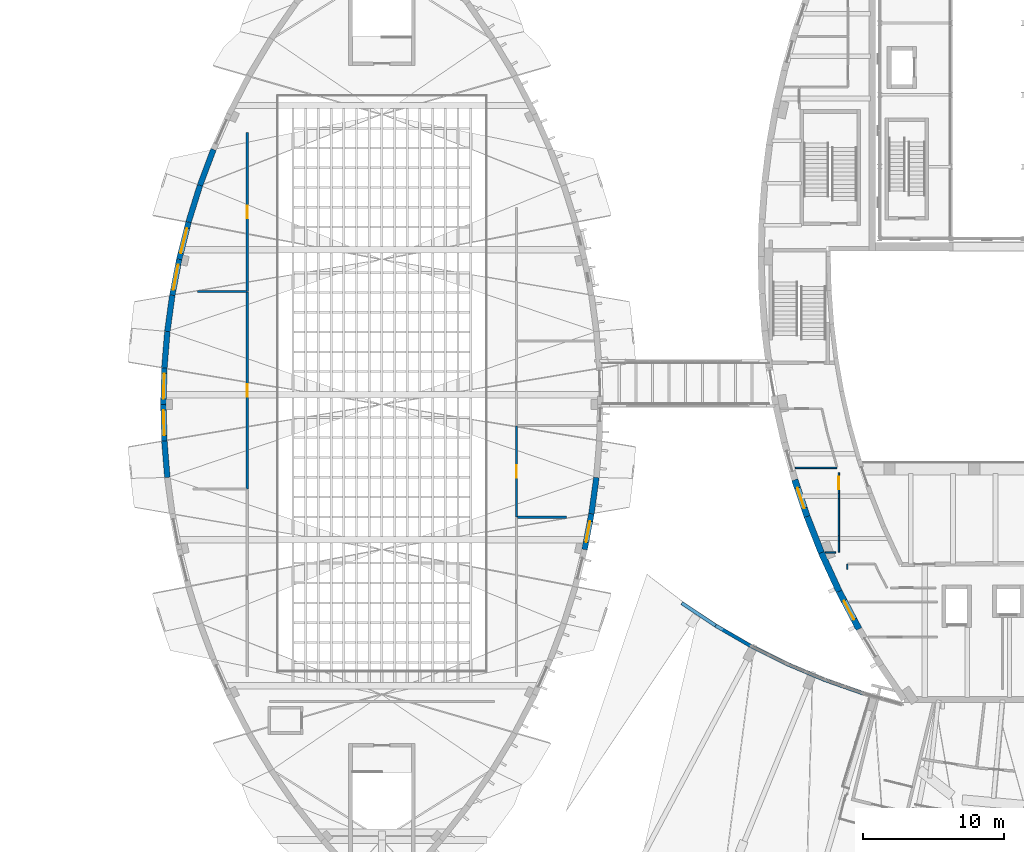
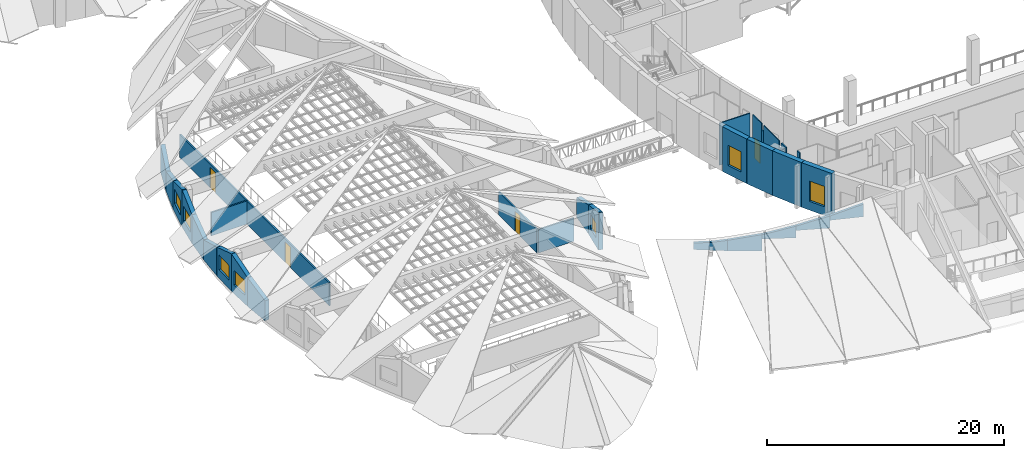
# One storey, part 30 of 56: 33 walls, 7 windows, 4 doors, 11 openings.
"""IFC4 building model written with IfcOpenShell, lengths in metres."""

from ifc_helpers import new_model, si_unit, direction, frame, frame_2d, origin, place, context, subcontext, project, spatial, polyline, rectangle, outline, extrude, material, layer, layer_set, type_object, element, fill, save


model = new_model("IFC4")

# Units and contexts
model_context = context("Model", 3, precision=1e-05, world=origin(), true_north=direction((0.0, 1.0)))
body_context = subcontext(model_context, "Body", "Model", "MODEL_VIEW")
ifc_project = project(units=[si_unit("LENGTHUNIT", "METRE"), si_unit("AREAUNIT", "SQUARE_METRE"), si_unit("VOLUMEUNIT", "CUBIC_METRE"), si_unit("PLANEANGLEUNIT", "RADIAN"), si_unit("MASSUNIT", "GRAM", prefix="KILO")], contexts=[model_context])

# Site, building, storey
site_placement = place(None, origin())
site = spatial("IfcSite", under=ifc_project, at=site_placement, CompositionType="ELEMENT")
building_placement = place(site_placement, origin())
building = spatial("IfcBuilding", under=site, at=building_placement, Name="Tide Square Theatres", CompositionType="ELEMENT")
storey_placement = place(building_placement, frame((0.0, 0.0, 10.199951171875)))
storey = spatial("IfcBuildingStorey", under=building, at=storey_placement, Name="L02", CompositionType="ELEMENT", Elevation=10.199951171875)

# Walls
ifc_material_1 = material(Name="Gypsum board on steel studs", Category="steel")
ifc_layer_1 = layer(ifc_material_1, 0.10009765625)
ifc_layer_set_1 = layer_set([ifc_layer_1], Name="Gypsum board on steel studs")
wall_type_1 = type_object("IfcWallType", Name="Partition 100 thick", PredefinedType="PARTITIONING", material=ifc_layer_set_1)
wall_1_placement = place(storey_placement, frame((65.31396484375, 40.0, 0.0), z_axis=(0.0, 0.0, 1.0), x_axis=(1.0, 0.0, 0.0)))
element("IfcWall", 1, at=wall_1_placement, inside=storey, type_object=wall_type_1, Name="Partition", PredefinedType="PARTITIONING", context=body_context, shape_type="SweptSolid", body=[
    extrude(rectangle(XDim=2.94873046875, YDim=0.10009765625, at=frame_2d((1.474365234375, 0.0))), origin(), (0.0, 0.0, 1.0), 4.35009765625),
])
wall_2_placement = place(storey_placement, frame((68.1787109375, 34.0, 0.0), z_axis=(0.0, 0.0, 1.0), x_axis=(-1.0, 0.0, 0.0)))
element("IfcWall", 2, at=wall_2_placement, inside=storey, type_object=wall_type_1, Name="Partition", PredefinedType="PARTITIONING", context=body_context, shape_type="SweptSolid", body=[
    extrude(rectangle(XDim=0.7314453125, YDim=0.10009765625, at=frame_2d((0.36572265625, 0.0))), origin(), (0.0, 0.0, 1.0), 4.35009765625),
])

# Wall, opening, door
wall_3_placement = place(storey_placement, frame((68.39990234375, 39.667724609375, 0.0), z_axis=(0.0, 0.0, 1.0), x_axis=(0.0, -1.0, 0.0)))
wall_3 = element("IfcWall", 3, at=wall_3_placement, inside=storey, type_object=wall_type_1, Name="Partition", PredefinedType="PARTITIONING", context=body_context, shape_type="SweptSolid", body=[
    extrude(rectangle(XDim=1.48779296875, YDim=0.10009765625, at=frame_2d((0.743896484375, 0.0))), origin(), (0.0, 0.0, 1.0), 4.35009765625),
])
opening_1_placement = place(wall_3_placement, frame((0.2939453125, 0.0, 0.0)))
opening_1 = element("IfcOpeningElement", 4, at=opening_1_placement, cuts=wall_3, Name="Opening M02-10", PredefinedType="OPENING", context=body_context, shape_type="SweptSolid", body=[
    extrude(rectangle(XDim=0.89990234375, YDim=2.10009765625, at=frame_2d((0.449951171875, 1.050048828125))), frame((0.0, 0.06005859375, 0.0), z_axis=(0.0, -1.0, 0.0), x_axis=(1.0, 0.0, 0.0)), (0.0, 0.0, 1.0), 0.1201171875),
])
ifc_material_2 = material(Name="Hardwood timber", Category="wood")
door_type = type_object("IfcDoorType", Name="Door 900 x 2100 single leaf", OperationType="NOTDEFINED", PredefinedType="DOOR", material=ifc_material_2)
door_1_placement = place(opening_1_placement, frame((0.89990234375, 0.0, 0.0), z_axis=(0.0, 0.0, 1.0), x_axis=(-1.0, 0.0, 0.0)))
door_1 = element("IfcDoor", 5, at=door_1_placement, inside=storey, type_object=door_type, Name="Chorus Dressing Room 01 door", OperationType="SINGLE_SWING_RIGHT", OverallHeight=2.10009765625, OverallWidth=0.89990234375, PredefinedType="DOOR", context=body_context, shape_type="SweptSolid", body=[
    extrude(rectangle(XDim=0.89990234375, YDim=2.10009765625, at=frame_2d((0.449951171875, 1.050048828125))), frame((0.0, 0.02490234375, 0.0), z_axis=(0.0, -1.0, 0.0), x_axis=(1.0, 0.0, 0.0)), (0.0, 0.0, 1.0), 0.050048828125),
])
fill(opening_1, door_1)

# Walls
wall_4_placement = place(storey_placement, frame((68.39990234375, 38.179931640625, 0.0), z_axis=(0.0, 0.0, 1.0), x_axis=(0.0, -1.0, 0.0)))
element("IfcWall", 6, at=wall_4_placement, inside=storey, type_object=wall_type_1, Name="Partition", PredefinedType="PARTITIONING", context=body_context, shape_type="SweptSolid", body=[
    extrude(rectangle(XDim=0.35986328125, YDim=0.10009765625, at=frame_2d((0.179931640625, 0.0))), origin(), (0.0, 0.0, 1.0), 3.719970703125),
])
wall_5_placement = place(storey_placement, frame((68.39990234375, 37.820068359375, 0.0), z_axis=(0.0, 0.0, 1.0), x_axis=(0.0, -1.0, 0.0)))
element("IfcWall", 7, at=wall_5_placement, inside=storey, type_object=wall_type_1, Name="Partition", PredefinedType="PARTITIONING", context=body_context, shape_type="SweptSolid", body=[
    extrude(rectangle(XDim=2.64013671875, YDim=0.10009765625, at=frame_2d((1.320068359375, 0.0))), origin(), (0.0, 0.0, 1.0), 4.35009765625),
])
wall_6_placement = place(storey_placement, frame((68.39990234375, 35.179931640625, 0.0), z_axis=(0.0, 0.0, 1.0), x_axis=(0.0, -1.0, 0.0)))
element("IfcWall", 8, at=wall_6_placement, inside=storey, type_object=wall_type_1, Name="Partition", PredefinedType="PARTITIONING", context=body_context, shape_type="SweptSolid", body=[
    extrude(rectangle(XDim=0.35986328125, YDim=0.10009765625, at=frame_2d((0.179931640625, 0.0))), origin(), (0.0, 0.0, 1.0), 3.719970703125),
])
wall_7_placement = place(storey_placement, frame((68.39990234375, 34.820068359375, 0.0), z_axis=(0.0, 0.0, 1.0), x_axis=(0.0, -1.0, 0.0)))
element("IfcWall", 9, at=wall_7_placement, inside=storey, type_object=wall_type_1, Name="Partition", PredefinedType="PARTITIONING", context=body_context, shape_type="SweptSolid", body=[
    extrude(rectangle(XDim=0.796875, YDim=0.10009765625, at=frame_2d((0.3984375, 0.0))), origin(), (0.0, 0.0, 1.0), 4.35009765625),
])
wall_8_placement = place(storey_placement, frame((69.0, 32.80126953125, 0.0), z_axis=(0.0, 0.0, 1.0), x_axis=(0.0, 1.0, 0.0)))
element("IfcWall", 10, at=wall_8_placement, inside=storey, type_object=wall_type_1, Name="Partition", PredefinedType="PARTITIONING", context=body_context, shape_type="SweptSolid", body=[
    extrude(rectangle(XDim=0.37548828125, YDim=0.10009765625, at=frame_2d((0.187744140625, 0.0))), origin(), (0.0, 0.0, 1.0), 4.35009765625),
])

# Wall, opening, door
ifc_material_3 = material(Name="Gypsum board on steel studs", Category="steel")
ifc_layer_2 = layer(ifc_material_3, 0.14990234375)
ifc_layer_set_2 = layer_set([ifc_layer_2], Name="Gypsum board on steel studs")
wall_type_2 = type_object("IfcWallType", Name="Partition 150 thick", PredefinedType="PARTITIONING", material=ifc_layer_set_2)
wall_9_placement = place(storey_placement, frame((26.449951171875, 38.52001953125, 0.0), z_axis=(0.0, 0.0, 1.0), x_axis=(0.0, 1.0, 0.0)))
wall_9 = element("IfcWall", 11, at=wall_9_placement, inside=storey, type_object=wall_type_2, Name="Studio Theatre partition", PredefinedType="PARTITIONING", context=body_context, shape_type="SweptSolid", body=[
    extrude(rectangle(XDim=13.9599609375, YDim=0.14990234375, at=frame_2d((6.97998046875, 0.0))), origin(), (0.0, 0.0, 1.0), 2.400146484375),
])
opening_2_placement = place(wall_9_placement, frame((6.530029296875, 0.0, 0.0)))
opening_2 = element("IfcOpeningElement", 12, at=opening_2_placement, cuts=wall_9, Name="Opening S02-03", PredefinedType="OPENING", context=body_context, shape_type="SweptSolid", body=[
    extrude(rectangle(XDim=0.89990234375, YDim=2.10009765625, at=frame_2d((0.449951171875, 1.050048828125))), frame((0.0, 0.0849609375, 0.0), z_axis=(0.0, -1.0, 0.0), x_axis=(1.0, 0.0, 0.0)), (0.0, 0.0, 1.0), 0.169921875),
])
door_2_placement = place(opening_2_placement, origin())
door_2 = element("IfcDoor", 13, at=door_2_placement, inside=storey, type_object=door_type, Name="Learning Studio 04 door", OperationType="SINGLE_SWING_RIGHT", OverallHeight=2.10009765625, OverallWidth=0.89990234375, PredefinedType="DOOR", context=body_context, shape_type="SweptSolid", body=[
    extrude(rectangle(XDim=0.89990234375, YDim=2.10009765625, at=frame_2d((0.449951171875, 1.050048828125))), frame((0.0, 0.02490234375, 0.0), z_axis=(0.0, -1.0, 0.0), x_axis=(1.0, 0.0, 0.0)), (0.0, 0.0, 1.0), 0.050048828125),
])
fill(opening_2, door_2)

wall_10_placement = place(storey_placement, frame((26.449951171875, 52.52001953125, 0.0), z_axis=(0.0, 0.0, 1.0), x_axis=(0.0, 1.0, 0.0)))
wall_10 = element("IfcWall", 14, at=wall_10_placement, inside=storey, type_object=wall_type_2, Name="Studio Theatre partition", PredefinedType="PARTITIONING", context=body_context, shape_type="SweptSolid", body=[
    extrude(rectangle(XDim=11.265380859375, YDim=0.14990234375, at=frame_2d((5.6328125, 0.0))), origin(), (0.0, 0.0, 1.0), 2.400146484375),
])
opening_3_placement = place(wall_10_placement, frame((5.1826171875, 0.0, 0.0)))
opening_3 = element("IfcOpeningElement", 15, at=opening_3_placement, cuts=wall_10, Name="Opening S02-04", PredefinedType="OPENING", context=body_context, shape_type="SweptSolid", body=[
    extrude(rectangle(XDim=0.89990234375, YDim=2.10009765625, at=frame_2d((0.449951171875, 1.050048828125))), frame((0.0, 0.0849609375, 0.0), z_axis=(0.0, -1.0, 0.0), x_axis=(1.0, 0.0, 0.0)), (0.0, 0.0, 1.0), 0.169921875),
])
door_3_placement = place(opening_3_placement, origin())
door_3 = element("IfcDoor", 16, at=door_3_placement, inside=storey, type_object=door_type, Name="Rehearsal Room 03 door", OperationType="SINGLE_SWING_RIGHT", OverallHeight=2.10009765625, OverallWidth=0.89990234375, PredefinedType="DOOR", context=body_context, shape_type="SweptSolid", body=[
    extrude(rectangle(XDim=0.89990234375, YDim=2.10009765625, at=frame_2d((0.449951171875, 1.050048828125))), frame((0.0, 0.02490234375, 0.0), z_axis=(0.0, -1.0, 0.0), x_axis=(1.0, 0.0, 0.0)), (0.0, 0.0, 1.0), 0.050048828125),
])
fill(opening_3, door_3)

wall_11_placement = place(storey_placement, frame((45.550048828125, 42.97998046875, 0.0), z_axis=(0.0, 0.0, 1.0), x_axis=(0.0, -1.0, 0.0)))
wall_11 = element("IfcWall", 17, at=wall_11_placement, inside=storey, type_object=wall_type_2, Name="Studio Theatre partition", PredefinedType="PARTITIONING", context=body_context, shape_type="SweptSolid", body=[
    extrude(rectangle(XDim=6.4599609375, YDim=0.14990234375, at=frame_2d((3.22998046875, 0.0))), origin(), (0.0, 0.0, 1.0), 2.400146484375),
])
opening_4_placement = place(wall_11_placement, frame((2.780029296875, 0.0, 0.0)))
opening_4 = element("IfcOpeningElement", 18, at=opening_4_placement, cuts=wall_11, Name="Opening S02-06", PredefinedType="OPENING", context=body_context, shape_type="SweptSolid", body=[
    extrude(rectangle(XDim=0.89990234375, YDim=2.10009765625, at=frame_2d((0.449951171875, 1.050048828125))), frame((0.0, 0.0849609375, 0.0), z_axis=(0.0, -1.0, 0.0), x_axis=(1.0, 0.0, 0.0)), (0.0, 0.0, 1.0), 0.169921875),
])
door_4_placement = place(opening_4_placement, origin())
door_4 = element("IfcDoor", 19, at=door_4_placement, inside=storey, type_object=door_type, Name="Production Office 02 door", OperationType="SINGLE_SWING_RIGHT", OverallHeight=2.10009765625, OverallWidth=0.89990234375, PredefinedType="DOOR", context=body_context, shape_type="SweptSolid", body=[
    extrude(rectangle(XDim=0.89990234375, YDim=2.10009765625, at=frame_2d((0.449951171875, 1.050048828125))), frame((0.0, 0.02490234375, 0.0), z_axis=(0.0, -1.0, 0.0), x_axis=(1.0, 0.0, 0.0)), (0.0, 0.0, 1.0), 0.050048828125),
])
fill(opening_4, door_4)

# Walls
for number, where, z_axis, x_axis, name in (
    (20, (22.91845703125, 52.5, 0.0), (0.0, 0.0, 1.0), (1.0, 0.0, 0.0), "Studio Theatre partition"),
    (21, (45.610107421875, 36.5, 0.0), (0.0, 0.0, 1.0), (1.0, 0.0, 0.0), "Studio Theatre partition"),
):
    element("IfcWall", number, at=place(storey_placement, frame(where, z_axis=z_axis, x_axis=x_axis)), inside=storey, type_object=wall_type_2, Name=name, PredefinedType="PARTITIONING", context=body_context, shape_type="SweptSolid", body=[
        extrude(rectangle(XDim=3.471435546875, YDim=0.14990234375, at=frame_2d((1.73583984375, 0.0))), origin(), (0.0, 0.0, 1.0), 2.400146484375),
    ])

# Wall, opening, window
ifc_material_4 = material(Name="Concrete C40", Category="concrete")
ifc_layer_3 = layer(ifc_material_4, 0.39990234375)
ifc_layer_set_3 = layer_set([ifc_layer_3], Name="Concrete C40")
wall_type_3 = type_object("IfcWallType", Name="RC curved wall 400 thick", PredefinedType="SOLIDWALL", material=ifc_layer_set_3)
wall_12_placement = place(storey_placement, frame((50.373046875, 34.21533203125, 0.0), z_axis=(0.0, 0.0, 1.0), x_axis=(0.188763210152, 0.982022632373, 0.0)))
wall_12 = element("IfcWall", 22, at=wall_12_placement, inside=storey, type_object=wall_type_3, Name="Studio Theatre perimeter wall", PredefinedType="SOLIDWALL", context=body_context, shape_type="SweptSolid", body=[
    extrude(outline(polyline([(0.0, 0.0), (2.58154296875, 0.0), (2.581298828125, 2.98388671875), (2.51171875, 3.008056640625), (0.07666015625, 3.853515625), (0.0, 3.8427734375), (0.0, 0.0)])), frame((0.0, 0.199951171875, 0.0), z_axis=(0.0, -1.0, 0.0), x_axis=(1.0, 0.0, 0.0)), (0.0, 0.0, 1.0), 0.39990234375),
])
opening_5_placement = place(wall_12_placement, frame((0.540771484375, 0.0, 0.89990234375)))
opening_5 = element("IfcOpeningElement", 23, at=opening_5_placement, cuts=wall_12, Name="Opening WN-08", PredefinedType="OPENING", context=body_context, shape_type="SweptSolid", body=[
    extrude(rectangle(XDim=1.5, YDim=1.5, at=frame_2d((0.75, 0.75))), frame((0.0, 0.2099609375, 0.0), z_axis=(0.0, -1.0, 0.0), x_axis=(1.0, 0.0, 0.0)), (0.0, 0.0, 1.0), 0.419921875),
])
ifc_material_5 = material(Name="Aluminium with laminated glass", Category="aluminium")
window_type_1 = type_object("IfcWindowType", Name="Window 1500 x 1500", PartitioningType="SINGLE_PANEL", PredefinedType="WINDOW", material=ifc_material_5)
window_1_placement = place(opening_5_placement, origin())
window_1 = element("IfcWindow", 24, at=window_1_placement, inside=storey, type_object=window_type_1, Name="Studio Theatre Costume Room window", OverallHeight=1.5, OverallWidth=1.5, PartitioningType="SINGLE_PANEL", PredefinedType="WINDOW", context=body_context, shape_type="SweptSolid", body=[
    extrude(rectangle(XDim=1.5, YDim=1.5, at=frame_2d((0.75, 0.75))), frame((0.0, 0.030029296875, 0.0), z_axis=(0.0, -1.0, 0.0), x_axis=(1.0, 0.0, 0.0)), (0.0, 0.0, 1.0), 0.06005859375),
])
fill(opening_5, window_1)

# Walls
wall_13_placement = place(storey_placement, frame((50.862060546875, 36.760986328125, 0.0), z_axis=(0.0, 0.0, 1.0), x_axis=(0.13522291824, 0.990815200924, 0.0)))
element("IfcWall", 25, at=wall_13_placement, inside=storey, type_object=wall_type_3, Name="Studio Theatre perimeter wall", PredefinedType="SOLIDWALL", context=body_context, shape_type="SweptSolid", body=[
    extrude(outline(polyline([(0.0, 0.0), (2.581787109375, 0.0), (2.581787109375, 2.0810546875), (2.488037109375, 2.113525390625), (0.0576171875, 2.9580078125), (0.0, 2.9765625), (0.0, 0.0)])), frame((0.0, 0.199951171875, 0.0), z_axis=(0.0, -1.0, 0.0), x_axis=(1.0, 0.0, 0.0)), (0.0, 0.0, 1.0), 0.39990234375),
])
wall_14_placement = place(storey_placement, frame((24.0595703125, 62.58251953125, 0.0), z_axis=(0.0, 0.0, 1.0), x_axis=(-0.351862601417, -0.936051659752, 0.0)))
element("IfcWall", 26, at=wall_14_placement, inside=storey, type_object=wall_type_3, Name="Studio Theatre perimeter wall", PredefinedType="SOLIDWALL", context=body_context, shape_type="SweptSolid", body=[
    extrude(outline(polyline([(0.0, 0.0), (2.71435546875, 0.0), (2.71435546875, 2.01953125), (2.540283203125, 2.076904296875), (0.12109375, 2.875732421875), (0.0, 2.910400390625), (0.0, 0.0)])), frame((0.0, 0.199951171875, 0.0), z_axis=(0.0, -1.0, 0.0), x_axis=(1.0, 0.0, 0.0)), (0.0, 0.0, 1.0), 0.39990234375),
])
wall_15_placement = place(storey_placement, frame((23.100830078125, 60.031005859375, 0.0), z_axis=(0.0, 0.0, 1.0), x_axis=(-0.29795748067, -0.954579142718, 0.0)))
element("IfcWall", 27, at=wall_15_placement, inside=storey, type_object=wall_type_3, Name="Studio Theatre perimeter wall", PredefinedType="SOLIDWALL", context=body_context, shape_type="SweptSolid", body=[
    extrude(outline(polyline([(0.0, 0.0), (2.714599609375, 0.0), (2.71435546875, 2.916259765625), (2.697509765625, 2.91064453125), (0.0, 2.02001953125), (0.0, 0.0)])), frame((0.0, 0.199951171875, 0.0), z_axis=(0.0, -1.0, 0.0), x_axis=(1.0, 0.0, 0.0)), (0.0, 0.0, 1.0), 0.39990234375),
])

# Wall, opening, window
wall_16_placement = place(storey_placement, frame((22.2890625, 57.4287109375, 0.0), z_axis=(0.0, 0.0, 1.0), x_axis=(-0.2430011368, -0.970026003525, 0.0)))
wall_16 = element("IfcWall", 28, at=wall_16_placement, inside=storey, type_object=wall_type_3, Name="Studio Theatre perimeter wall", PredefinedType="SOLIDWALL", context=body_context, shape_type="SweptSolid", body=[
    extrude(outline(polyline([(0.0, 0.0), (2.714599609375, 0.0), (2.714599609375, 3.822998046875), (2.686767578125, 3.813720703125), (2.63671875, 3.797119140625), (2.58642578125, 3.780517578125), (0.0, 2.923828125), (0.0, 0.0)])), frame((0.0, 0.199951171875, 0.0), z_axis=(0.0, -1.0, 0.0), x_axis=(1.0, 0.0, 0.0)), (0.0, 0.0, 1.0), 0.39990234375),
])
opening_6_placement = place(wall_16_placement, frame((0.45751953125, 0.0, 0.89990234375)))
opening_6 = element("IfcOpeningElement", 29, at=opening_6_placement, cuts=wall_16, Name="Opening WN-15", PredefinedType="OPENING", context=body_context, shape_type="SweptSolid", body=[
    extrude(rectangle(XDim=1.800048828125, YDim=1.5, at=frame_2d((0.89990234375, 0.75))), frame((0.0, 0.2099609375, 0.0), z_axis=(0.0, -1.0, 0.0), x_axis=(1.0, 0.0, 0.0)), (0.0, 0.0, 1.0), 0.419921875),
])
ifc_material_6 = material(Name="Aluminium with laminated glass", Category="aluminium")
window_type_2 = type_object("IfcWindowType", Name="Window 1800 x 1500", PartitioningType="DOUBLE_PANEL_VERTICAL", PredefinedType="WINDOW", material=ifc_material_6)
window_2_placement = place(opening_6_placement, origin())
window_2 = element("IfcWindow", 30, at=window_2_placement, inside=storey, type_object=window_type_2, Name="Studio Theatre Rehearsal Room 03 window", OverallHeight=1.5, OverallWidth=1.800048828125, PartitioningType="SINGLE_PANEL", PredefinedType="WINDOW", context=body_context, shape_type="SweptSolid", body=[
    extrude(rectangle(XDim=1.800048828125, YDim=1.5, at=frame_2d((0.89990234375, 0.75))), frame((0.0, 0.030029296875, 0.0), z_axis=(0.0, -1.0, 0.0), x_axis=(1.0, 0.0, 0.0)), (0.0, 0.0, 1.0), 0.06005859375),
])
fill(opening_6, window_2)

wall_17_placement = place(storey_placement, frame((21.626953125, 54.78466796875, 0.0), z_axis=(0.0, 0.0, 1.0), x_axis=(-0.188763210152, -0.982022632373, 0.0)))
wall_17 = element("IfcWall", 31, at=wall_17_placement, inside=storey, type_object=wall_type_3, Name="Studio Theatre perimeter wall", PredefinedType="SOLIDWALL", context=body_context, shape_type="SweptSolid", body=[
    extrude(outline(polyline([(0.0, 0.0), (2.58154296875, 0.0), (2.581298828125, 2.9716796875), (2.51171875, 2.995849609375), (0.076904296875, 3.841064453125), (0.0, 3.829345703125), (0.0, 0.0)])), frame((0.0, 0.199951171875, 0.0), z_axis=(0.0, -1.0, 0.0), x_axis=(1.0, 0.0, 0.0)), (0.0, 0.0, 1.0), 0.39990234375),
])
opening_7_placement = place(wall_17_placement, frame((0.390625, 0.0, 0.89990234375)))
opening_7 = element("IfcOpeningElement", 32, at=opening_7_placement, cuts=wall_17, Name="Opening WN-15", PredefinedType="OPENING", context=body_context, shape_type="SweptSolid", body=[
    extrude(rectangle(XDim=1.800048828125, YDim=1.5, at=frame_2d((0.89990234375, 0.75))), frame((0.0, 0.2099609375, 0.0), z_axis=(0.0, -1.0, 0.0), x_axis=(1.0, 0.0, 0.0)), (0.0, 0.0, 1.0), 0.419921875),
])
window_3_placement = place(opening_7_placement, origin())
window_3 = element("IfcWindow", 33, at=window_3_placement, inside=storey, type_object=window_type_2, Name="Studio Theatre Rehearsal Room 03 window", OverallHeight=1.5, OverallWidth=1.800048828125, PartitioningType="SINGLE_PANEL", PredefinedType="WINDOW", context=body_context, shape_type="SweptSolid", body=[
    extrude(rectangle(XDim=1.800048828125, YDim=1.5, at=frame_2d((0.89990234375, 0.75))), frame((0.0, 0.030029296875, 0.0), z_axis=(0.0, -1.0, 0.0), x_axis=(1.0, 0.0, 0.0)), (0.0, 0.0, 1.0), 0.06005859375),
])
fill(opening_7, window_3)

# Walls
wall_18_placement = place(storey_placement, frame((21.137939453125, 52.239013671875, 0.0), z_axis=(0.0, 0.0, 1.0), x_axis=(-0.13522291824, -0.990815200924, 0.0)))
element("IfcWall", 34, at=wall_18_placement, inside=storey, type_object=wall_type_3, Name="Studio Theatre perimeter wall", PredefinedType="SOLIDWALL", context=body_context, shape_type="SweptSolid", body=[
    extrude(outline(polyline([(0.0, 0.0), (2.581787109375, 0.0), (2.581787109375, 2.06884765625), (2.488037109375, 2.101318359375), (0.0576171875, 2.946044921875), (0.0, 2.96435546875), (0.0, 0.0)])), frame((0.0, 0.199951171875, 0.0), z_axis=(0.0, -1.0, 0.0), x_axis=(1.0, 0.0, 0.0)), (0.0, 0.0, 1.0), 0.39990234375),
])
wall_19_placement = place(storey_placement, frame((20.787841796875, 49.670166015625, 0.0), z_axis=(0.0, 0.0, 1.0), x_axis=(-0.081323667998, -0.996687744995, 0.0)))
element("IfcWall", 35, at=wall_19_placement, inside=storey, type_object=wall_type_3, Name="Studio Theatre perimeter wall", PredefinedType="SOLIDWALL", context=body_context, shape_type="SweptSolid", body=[
    extrude(outline(polyline([(0.0, 0.0), (2.581787109375, 0.0), (2.581787109375, 2.96240234375), (2.570068359375, 2.958740234375), (0.044921875, 2.08056640625), (0.0, 2.065185546875), (0.0, 0.0)])), frame((0.0, 0.199951171875, 0.0), z_axis=(0.0, -1.0, 0.0), x_axis=(1.0, 0.0, 0.0)), (0.0, 0.0, 1.0), 0.39990234375),
])

# Wall, opening, window
wall_20_placement = place(storey_placement, frame((20.577392578125, 47.086181640625, 0.0), z_axis=(0.0, 0.0, 1.0), x_axis=(-0.027139748682, -0.99963164918, 0.0)))
wall_20 = element("IfcWall", 36, at=wall_20_placement, inside=storey, type_object=wall_type_3, Name="Studio Theatre perimeter wall", PredefinedType="SOLIDWALL", context=body_context, shape_type="SweptSolid", body=[
    extrude(outline(polyline([(0.0, 0.0), (2.581787109375, 0.0), (2.581787109375, 3.865966796875), (2.516845703125, 3.84326171875), (0.0, 2.9697265625), (0.0, 0.0)])), frame((0.0, 0.199951171875, 0.0), z_axis=(0.0, -1.0, 0.0), x_axis=(1.0, 0.0, 0.0)), (0.0, 0.0, 1.0), 0.39990234375),
])
opening_8_placement = place(wall_20_placement, frame((0.390869140625, 0.0, 0.89990234375)))
opening_8 = element("IfcOpeningElement", 37, at=opening_8_placement, cuts=wall_20, Name="Opening WN-15", PredefinedType="OPENING", context=body_context, shape_type="SweptSolid", body=[
    extrude(rectangle(XDim=1.800048828125, YDim=1.5, at=frame_2d((0.89990234375, 0.75))), frame((0.0, 0.2099609375, 0.0), z_axis=(0.0, -1.0, 0.0), x_axis=(1.0, 0.0, 0.0)), (0.0, 0.0, 1.0), 0.419921875),
])
window_4_placement = place(opening_8_placement, origin())
window_4 = element("IfcWindow", 38, at=window_4_placement, inside=storey, type_object=window_type_2, Name="Studio Theatre Learning Studio 04 window", OverallHeight=1.5, OverallWidth=1.800048828125, PartitioningType="SINGLE_PANEL", PredefinedType="WINDOW", context=body_context, shape_type="SweptSolid", body=[
    extrude(rectangle(XDim=1.800048828125, YDim=1.5, at=frame_2d((0.89990234375, 0.75))), frame((0.0, 0.030029296875, 0.0), z_axis=(0.0, -1.0, 0.0), x_axis=(1.0, 0.0, 0.0)), (0.0, 0.0, 1.0), 0.06005859375),
])
fill(opening_8, window_4)

wall_21_placement = place(storey_placement, frame((20.50732421875, 44.49462890625, 0.0), z_axis=(0.0, 0.0, 1.0), x_axis=(0.027139748682, -0.99963164918, 0.0)))
wall_21 = element("IfcWall", 39, at=wall_21_placement, inside=storey, type_object=wall_type_3, Name="Studio Theatre perimeter wall", PredefinedType="SOLIDWALL", context=body_context, shape_type="SweptSolid", body=[
    extrude(outline(polyline([(0.0, 0.0), (2.581787109375, 0.0), (2.581787109375, 2.9697265625), (2.55908203125, 2.9775390625), (0.053955078125, 3.84716796875), (0.0, 3.865966796875), (0.0, 0.0)])), frame((0.0, 0.199951171875, 0.0), z_axis=(0.0, -1.0, 0.0), x_axis=(1.0, 0.0, 0.0)), (0.0, 0.0, 1.0), 0.39990234375),
])
opening_9_placement = place(wall_21_placement, frame((0.390869140625, 0.0, 0.89990234375)))
opening_9 = element("IfcOpeningElement", 40, at=opening_9_placement, cuts=wall_21, Name="Opening WN-15", PredefinedType="OPENING", context=body_context, shape_type="SweptSolid", body=[
    extrude(rectangle(XDim=1.800048828125, YDim=1.5, at=frame_2d((0.89990234375, 0.75))), frame((0.0, 0.2099609375, 0.0), z_axis=(0.0, -1.0, 0.0), x_axis=(1.0, 0.0, 0.0)), (0.0, 0.0, 1.0), 0.419921875),
])
window_5_placement = place(opening_9_placement, origin())
window_5 = element("IfcWindow", 41, at=window_5_placement, inside=storey, type_object=window_type_2, Name="Studio Theatre Learning Studio 04 window", OverallHeight=1.5, OverallWidth=1.800048828125, PartitioningType="SINGLE_PANEL", PredefinedType="WINDOW", context=body_context, shape_type="SweptSolid", body=[
    extrude(rectangle(XDim=1.800048828125, YDim=1.5, at=frame_2d((0.89990234375, 0.75))), frame((0.0, 0.030029296875, 0.0), z_axis=(0.0, -1.0, 0.0), x_axis=(1.0, 0.0, 0.0)), (0.0, 0.0, 1.0), 0.06005859375),
])
fill(opening_9, window_5)

# Wall
wall_22_placement = place(storey_placement, frame((20.577880859375, 41.903076171875, 0.0), z_axis=(0.0, 0.0, 1.0), x_axis=(0.081323667998, -0.996687744995, 0.0)))
element("IfcWall", 42, at=wall_22_placement, inside=storey, type_object=wall_type_3, Name="Studio Theatre perimeter wall", PredefinedType="SOLIDWALL", context=body_context, shape_type="SweptSolid", body=[
    extrude(outline(polyline([(0.0, 0.0), (2.581787109375, 0.0), (2.581787109375, 2.075927734375), (2.536865234375, 2.08056640625), (0.0, 2.962158203125), (0.0, 0.0)])), frame((0.0, 0.199951171875, 0.0), z_axis=(0.0, -1.0, 0.0), x_axis=(1.0, 0.0, 0.0)), (0.0, 0.0, 1.0), 0.39990234375),
])

# Wall, opening, window
ifc_material_7 = material(Name="Concrete C40", Category="concrete")
ifc_layer_4 = layer(ifc_material_7, 0.449951171875)
ifc_layer_set_4 = layer_set([ifc_layer_4], Name="Concrete C40")
wall_type_4 = type_object("IfcWallType", Name="RC curved wall 450 thick", PredefinedType="SOLIDWALL", material=ifc_layer_set_4)
wall_23_placement = place(storey_placement, frame((65.275390625, 39.161865234375, 0.0), z_axis=(0.0, 0.0, 1.0), x_axis=(0.318887614688, -0.947792534893, 0.0)))
wall_23 = element("IfcWall", 43, at=wall_23_placement, inside=storey, type_object=wall_type_4, Name="Main Theatre perimeter wall", PredefinedType="SOLIDWALL", context=body_context, shape_type="SweptSolid", body=[
    extrude(rectangle(XDim=2.75244140625, YDim=0.449951171875, at=frame_2d((1.376220703125, 0.0))), origin(), (0.0, 0.0, 1.0), 4.60009765625),
])
opening_10_placement = place(wall_23_placement, frame((0.626220703125, 0.0, 0.89990234375)))
opening_10 = element("IfcOpeningElement", 44, at=opening_10_placement, cuts=wall_23, Name="Opening WN-01", PredefinedType="OPENING", context=body_context, shape_type="SweptSolid", body=[
    extrude(rectangle(XDim=1.5, YDim=2.10009765625, at=frame_2d((0.75, 1.050048828125))), frame((0.0, 0.23486328125, 0.0), z_axis=(0.0, -1.0, 0.0), x_axis=(1.0, 0.0, 0.0)), (0.0, 0.0, 1.0), 0.469970703125),
])
ifc_material_8 = material(Name="Aluminium with laminated glass", Category="aluminium")
window_type_3 = type_object("IfcWindowType", Name="Window 1500 x 2100", PartitioningType="SINGLE_PANEL", PredefinedType="WINDOW", material=ifc_material_8)
window_6_placement = place(opening_10_placement, origin())
window_6 = element("IfcWindow", 45, at=window_6_placement, inside=storey, type_object=window_type_3, Name="Main Theatre window", OverallHeight=2.10009765625, OverallWidth=1.5, PartitioningType="SINGLE_PANEL", PredefinedType="WINDOW", context=body_context, shape_type="SweptSolid", body=[
    extrude(rectangle(XDim=1.5, YDim=2.10009765625, at=frame_2d((0.75, 1.050048828125))), frame((0.0, 0.030029296875, 0.0), z_axis=(0.0, -1.0, 0.0), x_axis=(1.0, 0.0, 0.0)), (0.0, 0.0, 1.0), 0.06005859375),
])
fill(opening_10, window_6)

# Walls
wall_24_placement = place(storey_placement, frame((66.153076171875, 36.55322265625, 0.0), z_axis=(0.0, 0.0, 1.0), x_axis=(0.366920100653, -0.930252460215, 0.0)))
element("IfcWall", 46, at=wall_24_placement, inside=storey, type_object=wall_type_4, Name="Main Theatre perimeter wall", PredefinedType="SOLIDWALL", context=body_context, shape_type="SweptSolid", body=[
    extrude(rectangle(XDim=2.751953125, YDim=0.449951171875, at=frame_2d((1.3759765625, 0.0))), origin(), (0.0, 0.0, 1.0), 4.60009765625),
])
wall_25_placement = place(storey_placement, frame((67.162841796875, 33.9931640625, 0.0), z_axis=(0.0, 0.0, 1.0), x_axis=(0.416407051835, -0.909178292296, 0.0)))
element("IfcWall", 47, at=wall_25_placement, inside=storey, type_object=wall_type_4, Name="Main Theatre perimeter wall", PredefinedType="SOLIDWALL", context=body_context, shape_type="SweptSolid", body=[
    extrude(rectangle(XDim=3.021240234375, YDim=0.449951171875, at=frame_2d((1.5107421875, 0.0))), origin(), (0.0, 0.0, 1.0), 4.60009765625),
])

# Wall, opening, window
wall_26_placement = place(storey_placement, frame((68.4208984375, 31.246337890625, 0.0), z_axis=(0.0, 0.0, 1.0), x_axis=(0.466728769487, -0.884400506407, 0.0)))
wall_26 = element("IfcWall", 48, at=wall_26_placement, inside=storey, type_object=wall_type_4, Name="Main Theatre perimeter wall", PredefinedType="SOLIDWALL", context=body_context, shape_type="SweptSolid", body=[
    extrude(rectangle(XDim=3.020751953125, YDim=0.449951171875, at=frame_2d((1.51025390625, 0.0))), origin(), (0.0, 0.0, 1.0), 4.60009765625),
])
opening_11_placement = place(wall_26_placement, frame((0.760498046875, 0.0, 0.89990234375)))
opening_11 = element("IfcOpeningElement", 49, at=opening_11_placement, cuts=wall_26, Name="Opening WN-01", PredefinedType="OPENING", context=body_context, shape_type="SweptSolid", body=[
    extrude(rectangle(XDim=1.5, YDim=2.10009765625, at=frame_2d((0.75, 1.050048828125))), frame((0.0, 0.23486328125, 0.0), z_axis=(0.0, -1.0, 0.0), x_axis=(1.0, 0.0, 0.0)), (0.0, 0.0, 1.0), 0.469970703125),
])
window_7_placement = place(opening_11_placement, origin())
window_7 = element("IfcWindow", 50, at=window_7_placement, inside=storey, type_object=window_type_3, Name="Main Theatre window", OverallHeight=2.10009765625, OverallWidth=1.5, PartitioningType="SINGLE_PANEL", PredefinedType="WINDOW", context=body_context, shape_type="SweptSolid", body=[
    extrude(rectangle(XDim=1.5, YDim=2.10009765625, at=frame_2d((0.75, 1.050048828125))), frame((0.0, 0.030029296875, 0.0), z_axis=(0.0, -1.0, 0.0), x_axis=(1.0, 0.0, 0.0)), (0.0, 0.0, 1.0), 0.06005859375),
])
fill(opening_11, window_7)

# Walls
ifc_material_9 = material(Name="Concrete C40", Category="concrete")
ifc_layer_5 = layer(ifc_material_9, 0.25)
ifc_layer_set_5 = layer_set([ifc_layer_5], Name="Concrete C40")
wall_type_5 = type_object("IfcWallType", Name="RC shear wall 250 thick", PredefinedType="SHEAR", material=ifc_layer_set_5)
wall_27_placement = place(storey_placement, frame((70.104736328125, 24.017578125, 2.770751953125), z_axis=(0.0, 0.0, 1.0), x_axis=(-0.943661290444, 0.330912932533, 0.0)))
element("IfcWall", 51, at=wall_27_placement, inside=storey, type_object=wall_type_5, Name="Foyer fascia wall", PredefinedType="SHEAR", context=body_context, shape_type="SweptSolid", body=[
    extrude(outline(polyline([(0.0, 0.0), (2.88037109375, 0.0), (2.880126953125, 0.44873046875), (0.0, 1.302734375), (0.0, 0.0)])), frame((0.0, 0.125, 0.0), z_axis=(0.0, -1.0, 0.0), x_axis=(1.0, 0.0, 0.0)), (0.0, 0.0, 1.0), 0.25),
])
wall_28_placement = place(storey_placement, frame((67.38671875, 24.970703125, 1.97412109375), z_axis=(0.0, 0.0, 1.0), x_axis=(-0.921180025816, 0.389136685547, 0.0)))
element("IfcWall", 52, at=wall_28_placement, inside=storey, type_object=wall_type_5, Name="Foyer fascia wall", PredefinedType="SHEAR", context=body_context, shape_type="SweptSolid", body=[
    extrude(outline(polyline([(0.0, 0.0), (2.88037109375, 0.0), (2.880126953125, 0.44921875), (1.152099609375, 0.93798828125), (0.864013671875, 1.01025390625), (0.575927734375, 1.080810546875), (0.0, 1.2431640625), (0.0, 0.0)])), frame((0.0, 0.125, 0.0), z_axis=(0.0, -1.0, 0.0), x_axis=(1.0, 0.0, 0.0)), (0.0, 0.0, 1.0), 0.25),
])
wall_29_placement = place(storey_placement, frame((64.7333984375, 26.091552734375, 1.22314453125), z_axis=(0.0, 0.0, 1.0), x_axis=(-0.895087420135, 0.445890693239, 0.0)))
element("IfcWall", 53, at=wall_29_placement, inside=storey, type_object=wall_type_5, Name="Foyer fascia wall", PredefinedType="SHEAR", context=body_context, shape_type="SweptSolid", body=[
    extrude(outline(polyline([(0.0, 0.0), (2.880126953125, 0.0), (2.880126953125, 0.449462890625), (2.59228515625, 0.504638671875), (2.30419921875, 0.572265625), (0.0, 1.197998046875), (0.0, 0.0)])), frame((0.0, 0.125, 0.0), z_axis=(0.0, -1.0, 0.0), x_axis=(1.0, 0.0, 0.0)), (0.0, 0.0, 1.0), 0.25),
])
wall_30_placement = place(storey_placement, frame((62.155517578125, 27.375732421875, 0.0), z_axis=(0.0, 0.0, 1.0), x_axis=(-0.865522991515, 0.500869195658, 0.0)))
element("IfcWall", 54, at=wall_30_placement, inside=storey, type_object=wall_type_5, Name="Foyer fascia wall", PredefinedType="SHEAR", context=body_context, shape_type="SweptSolid", body=[
    extrude(outline(polyline([(0.0, 0.0), (2.880126953125, 0.0), (2.880126953125, 1.08203125), (0.0, 1.671142578125), (0.0, 0.0)])), frame((0.0, 0.125, 0.0), z_axis=(0.0, -1.0, 0.0), x_axis=(1.0, 0.0, 0.0)), (0.0, 0.0, 1.0), 0.25),
])
wall_31_placement = place(storey_placement, frame((59.66259765625, 28.818359375, 0.0), z_axis=(0.0, 0.0, 1.0), x_axis=(-0.832584539561, 0.553897991045, 0.0)))
element("IfcWall", 55, at=wall_31_placement, inside=storey, type_object=wall_type_5, Name="Foyer fascia wall", PredefinedType="SHEAR", context=body_context, shape_type="SweptSolid", body=[
    extrude(outline(polyline([(0.0, 0.0), (2.88037109375, 0.0), (2.880126953125, 0.670166015625), (1.72802734375, 0.780029296875), (1.440185546875, 0.805908203125), (1.152099609375, 0.85498046875), (0.0, 1.080322265625), (0.0, 0.0)])), frame((0.0, 0.125, 0.0), z_axis=(0.0, -1.0, 0.0), x_axis=(1.0, 0.0, 0.0)), (0.0, 0.0, 1.0), 0.25),
])

save(model, "model.ifc")
